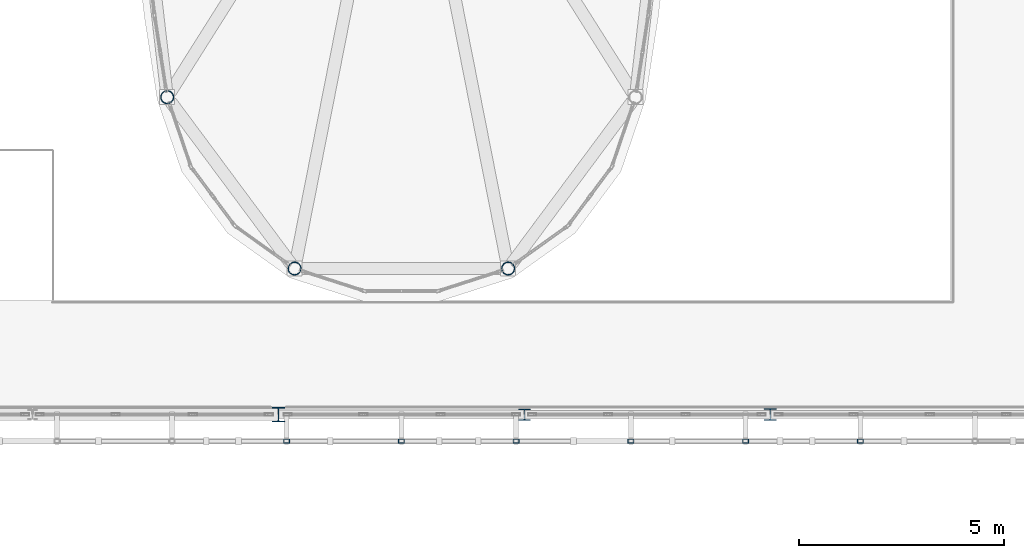
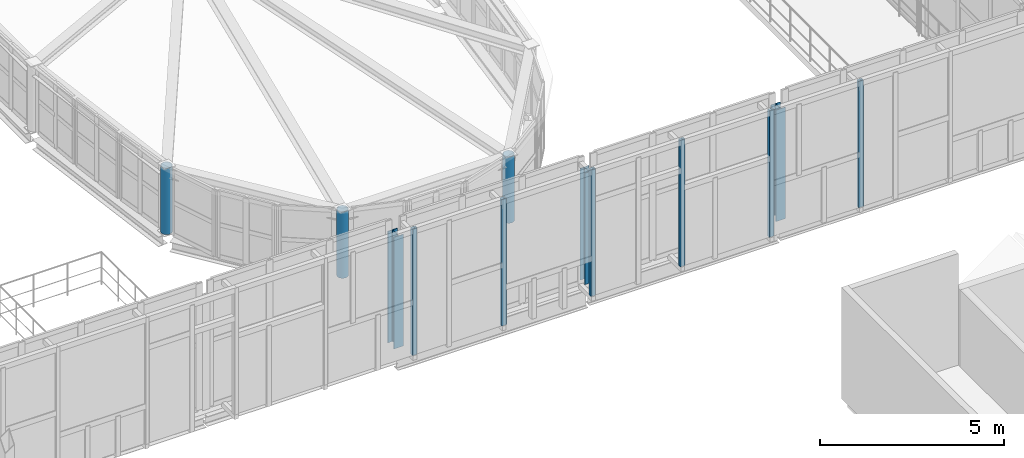
# One storey, part 3 of 78: 12 columns.
"""IFC4 building model written with IfcOpenShell, lengths in metres."""

import ifcopenshell
import ifcopenshell.guid

model = None  # the IFC model being written
_history = None  # IfcOwnerHistory: only IFC2X3 demands one
_inside = {}  # id of a spatial element -> (the spatial element, [elements in it])
_under = {}  # id of a project, library or spatial element -> (it, [spatial elements below it])
_declared = {}  # id of a project -> (the project, [libraries it declares])
_typed = {}  # id of a type object -> (the type object, [elements of that type])
_made_of = {}  # id of a material, layer set ... -> (it, [elements and type objects made of it])


def new_model(schema):
    """Start an empty IFC model of exactly this schema.

    Asked for "IFC4X3", IfcOpenShell would pick the latest addendum, in which some entities
    have other attributes; the version numbers below select the first issue.
    IFC2X3 requires an IfcOwnerHistory on every rooted entity: one is made here for all.
    """
    global model, _history
    if schema == "IFC4X3":
        model = ifcopenshell.file(schema_version=(4, 3, 0, 0))
    else:
        model = ifcopenshell.file(schema=schema)
    _inside.clear()
    _under.clear()
    _declared.clear()
    _typed.clear()
    _made_of.clear()
    _history = None
    if model.schema == "IFC2X3":
        org = make("IfcOrganization", Name="unknown")
        user = make(
            "IfcPersonAndOrganization",
            ThePerson=make("IfcPerson", FamilyName="unknown"),
            TheOrganization=org,
        )
        app = make(
            "IfcApplication",
            ApplicationDeveloper=org,
            Version="unknown",
            ApplicationFullName="unknown",
            ApplicationIdentifier="unknown",
        )
        _history = make(
            "IfcOwnerHistory",
            OwningUser=user,
            OwningApplication=app,
            ChangeAction="ADDED",
            CreationDate=0,
        )
    return model


def make(cls, **values):
    """One entity of the class cls with the attributes given. An attribute that is None is left unset."""
    return model.create_entity(
        cls, **{name: value for name, value in values.items() if value is not None}
    )


def rooted(cls, **values):
    """An entity with a GlobalId (a new one), such as an element, a storey or a relation."""
    return make(cls, GlobalId=ifcopenshell.guid.new(), OwnerHistory=_history, **values)


def si_unit(unit_type, name, prefix=None):
    """IfcSIUnit, for example si_unit("LENGTHUNIT", "METRE", prefix="MILLI")."""
    return make("IfcSIUnit", UnitType=unit_type, Prefix=prefix, Name=name)


def assignment(units):
    """IfcUnitAssignment: the units of a project."""
    return None if units is None else make("IfcUnitAssignment", Units=units)


def point(xyz):
    """IfcCartesianPoint."""
    return None if xyz is None else make("IfcCartesianPoint", Coordinates=xyz)


def direction(xyz):
    """IfcDirection."""
    return None if xyz is None else make("IfcDirection", DirectionRatios=xyz)


def frame(location, z_axis=None, x_axis=None):
    """IfcAxis2Placement3D, a coordinate frame: its origin and axes. An axis left out is left unset."""
    return make(
        "IfcAxis2Placement3D",
        Location=point(location),
        Axis=direction(z_axis),
        RefDirection=direction(x_axis),
    )


def frame_2d(location, x_axis=None):
    """IfcAxis2Placement2D, a coordinate frame in the plane: its origin and x axis."""
    return make(
        "IfcAxis2Placement2D", Location=point(location), RefDirection=direction(x_axis)
    )


def origin():
    """The frame at (0, 0, 0) with its axes left unset."""
    return frame((0.0, 0.0, 0.0))


def origin_2d():
    """The frame at (0, 0) in the plane with its x axis left unset."""
    return frame_2d((0.0, 0.0))


def place(relative_to, where):
    """IfcLocalPlacement: puts the frame where relative to a parent placement (None: the world)."""
    return make(
        "IfcLocalPlacement", PlacementRelTo=relative_to, RelativePlacement=where
    )


def context(
    kind, dimensions, precision=None, world=None, true_north=None, identifier=None
):
    """IfcGeometricRepresentationContext, for example the 3D "Model" context."""
    return make(
        "IfcGeometricRepresentationContext",
        ContextIdentifier=identifier,
        ContextType=kind,
        CoordinateSpaceDimension=dimensions,
        Precision=precision,
        WorldCoordinateSystem=world,
        TrueNorth=true_north,
    )


def subcontext(parent, identifier, kind, view, scale=None):
    """IfcGeometricRepresentationSubContext, for example "Body" below "Model"."""
    return make(
        "IfcGeometricRepresentationSubContext",
        ContextIdentifier=identifier,
        ContextType=kind,
        ParentContext=parent,
        TargetScale=scale,
        TargetView=view,
    )


def project(units=None, contexts=None):
    """IfcProject with its units and contexts."""
    return rooted(
        "IfcProject",
        Name="project",
        RepresentationContexts=contexts,
        UnitsInContext=assignment(units),
    )


def spatial(cls, under=None, at=None, **own):
    """A site, building, storey or space (cls), placed at a placement, below another one or the project."""
    s = rooted(cls, ObjectPlacement=at, **own)
    if under is not None:
        _under.setdefault(under.id(), (under, []))[1].append(s)
    return s


def profile(cls, at=None, kind="AREA", **sizes):
    """A parametric profile (cls). Its sizes go by their IFC names, for example OverallWidth=200.0."""
    return make(cls, ProfileType=kind, Position=at, **sizes)


def hollow_rectangle(**sizes):
    """IfcRectangleHollowProfileDef."""
    return profile("IfcRectangleHollowProfileDef", **sizes)


def hollow_circle(**sizes):
    """IfcCircleHollowProfileDef."""
    return profile("IfcCircleHollowProfileDef", **sizes)


def i_section(**sizes):
    """IfcIShapeProfileDef."""
    return profile("IfcIShapeProfileDef", **sizes)


def extrude(swept, where, along, depth):
    """IfcExtrudedAreaSolid: the profile swept, set in the frame where, extruded along a direction by depth."""
    return make(
        "IfcExtrudedAreaSolid",
        SweptArea=swept,
        Position=where,
        ExtrudedDirection=direction(along),
        Depth=depth,
    )


def shape(context_of_items, identifier, shape_type, items):
    """IfcShapeRepresentation: the items that make up one representation, for example the "Body"."""
    return make(
        "IfcShapeRepresentation",
        ContextOfItems=context_of_items,
        RepresentationIdentifier=identifier,
        RepresentationType=shape_type,
        Items=items,
    )


def material(Name=None, Category=None):
    """IfcMaterial."""
    return make("IfcMaterial", Name=Name, Category=Category)


def material_profile(
    of_material, cross_section, Name=None, Category=None, Priority=None
):
    """IfcMaterialProfile: a cross section and its material."""
    return make(
        "IfcMaterialProfile",
        Name=Name,
        Material=of_material,
        Profile=cross_section,
        Priority=Priority,
        Category=Category,
    )


def profile_set(profiles, Name=None, composite=None):
    """IfcMaterialProfileSet."""
    return make(
        "IfcMaterialProfileSet",
        Name=Name,
        MaterialProfiles=profiles,
        CompositeProfile=composite,
    )


def made_of(thing, what):
    """Note that an element or type object is made of a material, layer set ...; save() writes the relation."""
    if what is not None:
        _made_of.setdefault(what.id(), (what, []))[1].append(thing)
    return thing


def type_object(cls, material=None, **own):
    """A type object (cls), such as IfcWallType, which elements share."""
    return made_of(rooted(cls, **own), material)


def element(
    cls,
    number,
    at=None,
    inside=None,
    cuts=None,
    type_object=None,
    material=None,
    context=None,
    identifier="Body",
    shape_type=None,
    held_by="IfcProductDefinitionShape",
    body=None,
    shapes=None,
    **own,
):
    """One element of the class cls, such as IfcWall. Its Tag is "e" and its number.

    at: its placement. inside: the storey or other place that contains it. cuts: it is an
    opening in that element (IfcRelVoidsElement). A single representation is given by context,
    identifier, shape_type and body (its items); several are given by shapes. held_by: the class
    of the entity that holds the representations. save() writes the other relations.
    """
    e = rooted(cls, Tag="e%d" % number, ObjectPlacement=at, **own)
    if body is not None:
        shapes = [shape(context, identifier, shape_type, body)]
    if shapes is not None:
        e.Representation = make(held_by, Representations=shapes)
    if inside is not None:
        _inside.setdefault(inside.id(), (inside, []))[1].append(e)
    if cuts is not None:
        rooted(
            "IfcRelVoidsElement", RelatingBuildingElement=cuts, RelatedOpeningElement=e
        )
    if type_object is not None:
        _typed.setdefault(type_object.id(), (type_object, []))[1].append(e)
    return made_of(e, material)


def aggregate(whole, parts):
    """IfcRelAggregates: a whole, such as a stair, and the parts it consists of."""
    return rooted("IfcRelAggregates", RelatingObject=whole, RelatedObjects=parts)


def save(model, path):
    """Write the relations noted so far, then the file.

    IfcRelAggregates (storeys below a building ...), IfcRelContainedInSpatialStructure (elements
    in a storey), IfcRelDefinesByType, IfcRelAssociatesMaterial and IfcRelDeclares: one each for
    every whole, place, type object, material and project.
    """
    for whole, parts in _under.values():
        aggregate(whole, parts)
    for where, things in _inside.values():
        rooted(
            "IfcRelContainedInSpatialStructure",
            RelatedElements=things,
            RelatingStructure=where,
        )
    for kind, things in _typed.values():
        rooted("IfcRelDefinesByType", RelatedObjects=things, RelatingType=kind)
    for what, things in _made_of.values():
        rooted("IfcRelAssociatesMaterial", RelatedObjects=things, RelatingMaterial=what)
    for by, libraries in _declared.values():
        rooted("IfcRelDeclares", RelatingContext=by, RelatedDefinitions=libraries)
    model.write(path)


model = new_model("IFC4")

# Units and contexts
model_context = context("Model", 3, precision=1e-05, world=origin(), true_north=direction((0.0, 1.0)))
body_context = subcontext(model_context, "Body", "Model", "MODEL_VIEW")
ifc_project = project(units=[si_unit("LENGTHUNIT", "METRE"), si_unit("AREAUNIT", "SQUARE_METRE"), si_unit("VOLUMEUNIT", "CUBIC_METRE"), si_unit("PLANEANGLEUNIT", "RADIAN"), si_unit("MASSUNIT", "GRAM", prefix="KILO")], contexts=[model_context])

# Site, building, storey
site_placement = place(None, origin())
site = spatial("IfcSite", under=ifc_project, at=site_placement, CompositionType="ELEMENT")
building_placement = place(site_placement, origin())
building = spatial("IfcBuilding", under=site, at=building_placement, Name="Vinh Khe Railworks Police Headquarters", CompositionType="ELEMENT")
storey_placement = place(building_placement, frame((0.0, 0.0, 13.199951171875)))
storey = spatial("IfcBuildingStorey", under=building, at=storey_placement, Name="L03", CompositionType="ELEMENT", Elevation=13.199951171875)

# Columns
ifc_material = material(Name="Steel S355JR", Category="steel")
ifc_material_profile_1 = material_profile(ifc_material, hollow_rectangle(XDim=0.14990234375, YDim=0.10009765625, WallThickness=0.008056640625, at=origin_2d()), Name="RHS 150x100x8")
ifc_profile_set_1 = profile_set([ifc_material_profile_1], Name="Steel S355JR")
column_type_1 = type_object("IfcColumnType", Name="COL-QUILT-POST", PredefinedType="COLUMN", material=ifc_profile_set_1)
for number, where, z_axis, x_axis, name in (
    (1, (40.39990234375, 24.550048828125, 0.0), (0.0, 0.0, 1.0), (1.0, 0.0, 0.0), "Patchwork Quilt Carrier Column S-6 (L03)"),
    (2, (43.199951171875, 24.550048828125, 0.0), (0.0, 0.0, 1.0), (1.0, 0.0, 0.0), "Patchwork Quilt Carrier Column S-7 (L03)"),
    (3, (46.0, 24.550048828125, 0.0), (0.0, 0.0, 1.0), (1.0, 0.0, 0.0), "Patchwork Quilt Carrier Column S-8 (L03)"),
    (4, (48.800048828125, 24.550048828125, 0.0), (0.0, 0.0, 1.0), (1.0, 0.0, 0.0), "Patchwork Quilt Carrier Column S-9 (L03)"),
    (5, (51.60009765625, 24.550048828125, 0.0), (0.0, 0.0, 1.0), (1.0, 0.0, 0.0), "Patchwork Quilt Carrier Column S-10 (L03)"),
    (6, (54.39990234375, 24.550048828125, 0.0), (0.0, 0.0, 1.0), (1.0, 0.0, 0.0), "Patchwork Quilt Carrier Column S-11 (L03)"),
):
    element("IfcColumn", number, at=place(storey_placement, frame(where, z_axis=z_axis, x_axis=x_axis)), inside=storey, type_object=column_type_1, Name=name, PredefinedType="COLUMN", context=body_context, shape_type="SweptSolid", body=[
        extrude(hollow_rectangle(XDim=0.14990234375, YDim=0.10009765625, WallThickness=0.008056640625, at=origin_2d()), origin(), (0.0, 0.0, 1.0), 4.199951171875),
    ])
ifc_material_profile_2 = material_profile(ifc_material, hollow_circle(Radius=0.161865234375, WallThickness=0.01611328125, at=origin_2d()), Name="CHS 323.9x16")
ifc_profile_set_2 = profile_set([ifc_material_profile_2], Name="Steel S355JR")
column_type_2 = type_object("IfcColumnType", Name="Steel Column CHS 323.9x16", PredefinedType="COLUMN", material=ifc_profile_set_2)
for number, where, z_axis, x_axis, name in (
    (7, (37.48681640625, 32.944091796875, 0.0), (0.0, 0.0, 1.0), (-0.946480392435, -0.322761315426, 0.0), "Column COL-L03-SC-28-0843"),
    (8, (40.594970703125, 28.762451171875, 0.0), (0.0, 0.0, 1.0), (-0.30552912238, -0.952182732136, 0.0), "Column COL-L03-SC-28-0882"),
    (9, (45.80517578125, 28.762451171875, 0.0), (0.0, 0.0, 1.0), (0.581981048437, -0.813202348287, 0.0), "Column COL-L03-SC-28-0892"),
):
    element("IfcColumn", number, at=place(storey_placement, frame(where, z_axis=z_axis, x_axis=x_axis)), inside=storey, type_object=column_type_2, Name=name, PredefinedType="COLUMN", context=body_context, shape_type="SweptSolid", body=[
        extrude(hollow_circle(Radius=0.161865234375, WallThickness=0.01611328125, at=origin_2d()), origin(), (0.0, 0.0, 1.0), 2.199951171875),
    ])
ifc_material_profile_3 = material_profile(ifc_material, i_section(OverallWidth=0.280029296875, OverallDepth=0.27001953125, WebThickness=0.008056640625, FlangeThickness=0.012939453125, FilletRadius=0.02392578125, at=origin_2d()), Name="HEA 280")
ifc_profile_set_3 = profile_set([ifc_material_profile_3], Name="Steel S355JR")
column_type_3 = type_object("IfcColumnType", Name="Steel Column HEA 280", PredefinedType="COLUMN", material=ifc_profile_set_3)
column_1_placement = place(storey_placement, frame((46.199951171875, 25.199951171875, 0.0), z_axis=(0.0, 0.0, 1.0), x_axis=(1.0, 0.0, 0.0)))
element("IfcColumn", 10, at=column_1_placement, inside=storey, type_object=column_type_3, Name="Column COL-L03-SC-19-0911", PredefinedType="COLUMN", context=body_context, shape_type="SweptSolid", body=[
    extrude(i_section(OverallWidth=0.280029296875, OverallDepth=0.27001953125, WebThickness=0.008056640625, FlangeThickness=0.012939453125, FilletRadius=0.02392578125, at=origin_2d()), origin(), (0.0, 0.0, 1.0), 3.699951171875),
])
ifc_material_profile_4 = material_profile(ifc_material, i_section(OverallWidth=0.300048828125, OverallDepth=0.2900390625, WebThickness=0.008544921875, FlangeThickness=0.013916015625, FilletRadius=0.027099609375, at=origin_2d()), Name="HEA 300")
ifc_profile_set_4 = profile_set([ifc_material_profile_4], Name="Steel S355JR")
column_type_4 = type_object("IfcColumnType", Name="Steel Column HEA 300", PredefinedType="COLUMN", material=ifc_profile_set_4)
column_2_placement = place(storey_placement, frame((52.199951171875, 25.199951171875, 0.0), z_axis=(0.0, 0.0, 1.0), x_axis=(1.0, 0.0, 0.0)))
element("IfcColumn", 11, at=column_2_placement, inside=storey, type_object=column_type_4, Name="Column COL-L03-SC-18-0972", PredefinedType="COLUMN", context=body_context, shape_type="SweptSolid", body=[
    extrude(i_section(OverallWidth=0.300048828125, OverallDepth=0.2900390625, WebThickness=0.008544921875, FlangeThickness=0.013916015625, FilletRadius=0.027099609375, at=origin_2d()), origin(), (0.0, 0.0, 1.0), 3.699951171875),
])
ifc_material_profile_5 = material_profile(ifc_material, i_section(OverallWidth=0.300048828125, OverallDepth=0.35009765625, WebThickness=0.010009765625, FlangeThickness=0.017578125, FilletRadius=0.027099609375, at=origin_2d()), Name="HEA 360")
ifc_profile_set_5 = profile_set([ifc_material_profile_5], Name="Steel S355JR")
column_type_5 = type_object("IfcColumnType", Name="Steel Column HEA 360", PredefinedType="COLUMN", material=ifc_profile_set_5)
column_3_placement = place(storey_placement, frame((40.199951171875, 25.199951171875, 0.0), z_axis=(0.0, 0.0, 1.0), x_axis=(1.0, 0.0, 0.0)))
element("IfcColumn", 12, at=column_3_placement, inside=storey, type_object=column_type_5, Name="Column COL-L03-SC-16-0862", PredefinedType="COLUMN", context=body_context, shape_type="SweptSolid", body=[
    extrude(i_section(OverallWidth=0.300048828125, OverallDepth=0.35009765625, WebThickness=0.010009765625, FlangeThickness=0.017578125, FilletRadius=0.027099609375, at=origin_2d()), origin(), (0.0, 0.0, 1.0), 3.699951171875),
])

save(model, "model.ifc")
